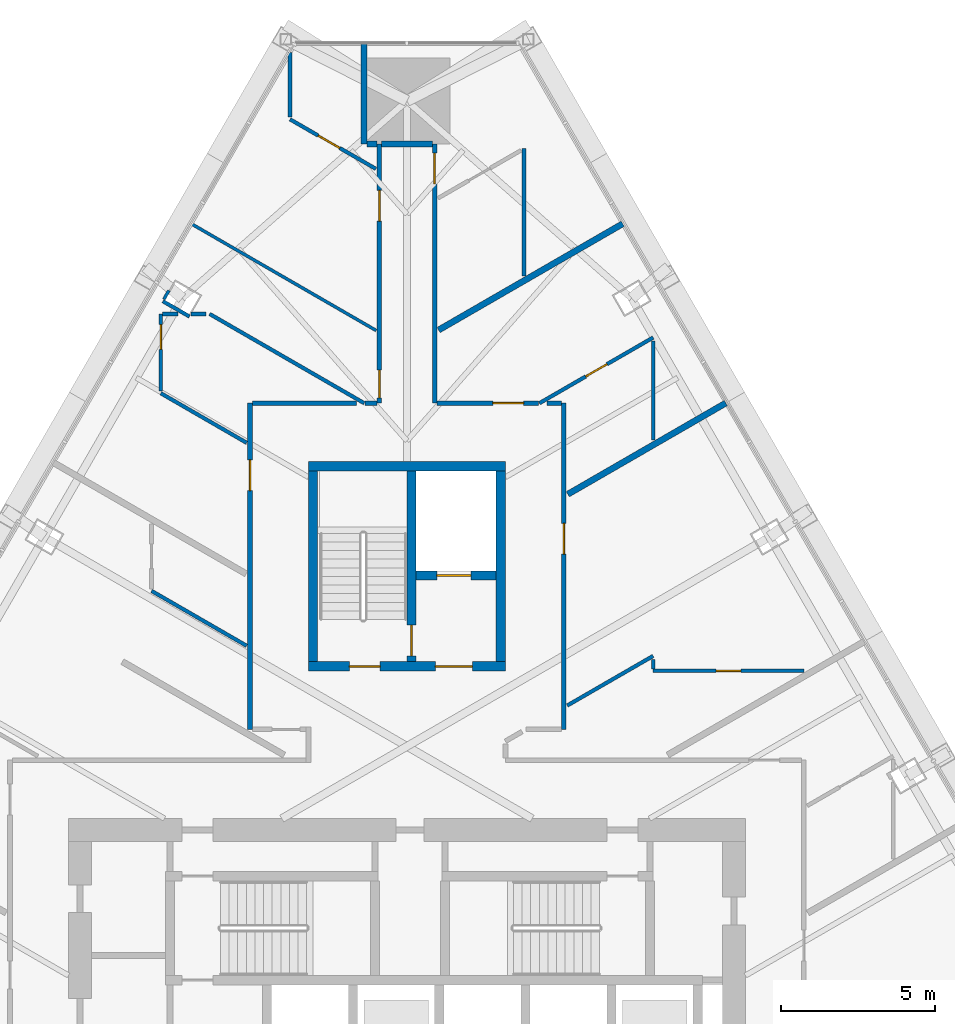
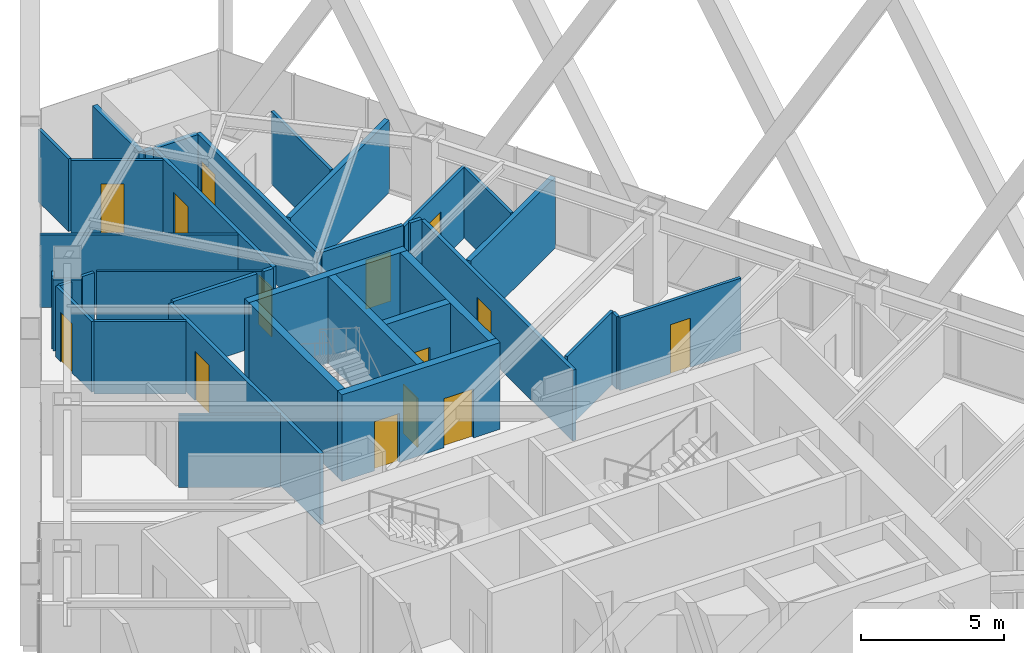
# One storey, part 21 of 24: 36 walls, 14 doors, 14 openings.
"""IFC4 building model written with IfcOpenShell, lengths in metres."""

from ifc_helpers import new_model, si_unit, direction, frame, frame_2d, origin, place, context, subcontext, project, spatial, rectangle, extrude, material, layer, layer_set, type_object, element, fill, save


model = new_model("IFC4")

# Units and contexts
model_context = context("Model", 3, precision=1e-05, world=origin(), true_north=direction((0.0, 1.0)))
body_context = subcontext(model_context, "Body", "Model", "MODEL_VIEW")
ifc_project = project(units=[si_unit("LENGTHUNIT", "METRE"), si_unit("AREAUNIT", "SQUARE_METRE"), si_unit("VOLUMEUNIT", "CUBIC_METRE"), si_unit("PLANEANGLEUNIT", "RADIAN"), si_unit("MASSUNIT", "GRAM", prefix="KILO")], contexts=[model_context])

# Site, building, storey
site_placement = place(None, origin())
site = spatial("IfcSite", under=ifc_project, at=site_placement, CompositionType="ELEMENT")
building_placement = place(site_placement, origin())
building = spatial("IfcBuilding", under=site, at=building_placement, Name="Firuza Gate Tower and Library", CompositionType="ELEMENT")
storey_placement = place(building_placement, frame((0.0, 0.0, 171.39990234375)))
storey = spatial("IfcBuildingStorey", under=building, at=storey_placement, Name="L39", CompositionType="ELEMENT", Elevation=171.39990234375)

# Wall, openings, doors
ifc_material_1 = material(Name="Concrete C80/95", Category="concrete")
ifc_layer_1 = layer(ifc_material_1, 0.300048828125)
ifc_layer_set_1 = layer_set([ifc_layer_1], Name="Core wall 300 C80/95")
wall_type_1 = type_object("IfcWallType", Name="Core wall 300 C80/95", PredefinedType="SHEAR", material=ifc_layer_set_1)
wall_1_placement = place(storey_placement, frame((71.800048828125, 87.949951171875, 0.0), z_axis=(0.0, 0.0, 1.0), x_axis=(1.0, 0.0, 0.0)))
wall_1 = element("IfcWall", 1, at=wall_1_placement, inside=storey, type_object=wall_type_1, Name="Core wall L39 27", PredefinedType="SHEAR", context=body_context, shape_type="SweptSolid", body=[
    extrude(rectangle(XDim=6.39990234375, YDim=0.300048828125, at=frame_2d((3.199951171875, 0.0))), origin(), (0.0, 0.0, 1.0), 3.7001953125),
])
opening_1_placement = place(wall_1_placement, frame((1.324951171875, 0.0, 0.0)))
opening_1 = element("IfcOpeningElement", 2, at=opening_1_placement, cuts=wall_1, Name="Opening L39-K15", PredefinedType="OPENING", context=body_context, shape_type="SweptSolid", body=[
    extrude(rectangle(XDim=1.0, YDim=2.10009765625, at=frame_2d((0.5, 1.050048828125))), frame((0.0, 0.16015625, 0.0), z_axis=(0.0, -1.0, 0.0), x_axis=(1.0, 0.0, 0.0)), (0.0, 0.0, 1.0), 0.320068359375),
])
opening_2_placement = place(wall_1_placement, frame((4.125, 0.0, 0.0)))
opening_2 = element("IfcOpeningElement", 3, at=opening_2_placement, cuts=wall_1, Name="Opening L39-K17", PredefinedType="OPENING", context=body_context, shape_type="SweptSolid", body=[
    extrude(rectangle(XDim=1.199951171875, YDim=2.10009765625, at=frame_2d((0.60009765625, 1.050048828125))), frame((0.0, 0.16015625, 0.0), z_axis=(0.0, -1.0, 0.0), x_axis=(1.0, 0.0, 0.0)), (0.0, 0.0, 1.0), 0.320068359375),
])
ifc_material_2 = material(Name="Steel", Category="steel")
door_type_1 = type_object("IfcDoorType", Name="Fire door 1000x2100 FD90", OperationType="NOTDEFINED", PredefinedType="DOOR", material=ifc_material_2)
door_1_placement = place(opening_1_placement, origin())
door_1 = element("IfcDoor", 4, at=door_1_placement, inside=storey, type_object=door_type_1, Name="Door L39-K15", OperationType="SINGLE_SWING_RIGHT", OverallHeight=2.10009765625, OverallWidth=1.0, PredefinedType="DOOR", context=body_context, shape_type="SweptSolid", body=[
    extrude(rectangle(XDim=1.0, YDim=2.10009765625, at=frame_2d((0.5, 1.050048828125))), frame((0.0, 0.02490234375, 0.0), z_axis=(0.0, -1.0, 0.0), x_axis=(1.0, 0.0, 0.0)), (0.0, 0.0, 1.0), 0.050048828125),
])
fill(opening_1, door_1)
ifc_material_3 = material(Name="Steel", Category="steel")
door_type_2 = type_object("IfcDoorType", Name="Fire door 1200x2100 FD30S", OperationType="NOTDEFINED", PredefinedType="DOOR", material=ifc_material_3)
door_2_placement = place(opening_2_placement, origin())
door_2 = element("IfcDoor", 5, at=door_2_placement, inside=storey, type_object=door_type_2, Name="Door L39-K17", OperationType="SINGLE_SWING_RIGHT", OverallHeight=2.10009765625, OverallWidth=1.199951171875, PredefinedType="DOOR", context=body_context, shape_type="SweptSolid", body=[
    extrude(rectangle(XDim=1.199951171875, YDim=2.10009765625, at=frame_2d((0.60009765625, 1.050048828125))), frame((0.0, 0.02490234375, 0.0), z_axis=(0.0, -1.0, 0.0), x_axis=(1.0, 0.0, 0.0)), (0.0, 0.0, 1.0), 0.050048828125),
])
fill(opening_2, door_2)

# Walls
wall_2_placement = place(storey_placement, frame((71.800048828125, 94.449951171875, 0.0), z_axis=(0.0, 0.0, 1.0), x_axis=(1.0, 0.0, 0.0)))
element("IfcWall", 6, at=wall_2_placement, inside=storey, type_object=wall_type_1, Name="Core wall L39 28", PredefinedType="SHEAR", context=body_context, shape_type="SweptSolid", body=[
    extrude(rectangle(XDim=6.39990234375, YDim=0.300048828125, at=frame_2d((3.199951171875, 0.0))), origin(), (0.0, 0.0, 1.0), 3.7001953125),
])
for number, where, z_axis, x_axis, name in (
    (7, (71.949951171875, 88.10009765625, 0.0), (0.0, 0.0, 1.0), (0.0, 1.0, 0.0), "Core wall L39 29"),
    (8, (78.050048828125, 88.10009765625, 0.0), (0.0, 0.0, 1.0), (0.0, 1.0, 0.0), "Core wall L39 30"),
):
    element("IfcWall", number, at=place(storey_placement, frame(where, z_axis=z_axis, x_axis=x_axis)), inside=storey, type_object=wall_type_1, Name=name, PredefinedType="SHEAR", context=body_context, shape_type="SweptSolid", body=[
        extrude(rectangle(XDim=6.199951171875, YDim=0.300048828125, at=frame_2d((3.10009765625, 0.0))), origin(), (0.0, 0.0, 1.0), 3.7001953125),
    ])

# Wall, opening, door
wall_3_placement = place(storey_placement, frame((75.300048828125, 90.89990234375, 0.0), z_axis=(0.0, 0.0, 1.0), x_axis=(1.0, 0.0, 0.0)))
wall_3 = element("IfcWall", 9, at=wall_3_placement, inside=storey, type_object=wall_type_1, Name="Core wall L39 31", PredefinedType="SHEAR", context=body_context, shape_type="SweptSolid", body=[
    extrude(rectangle(XDim=2.599853515625, YDim=0.300048828125, at=frame_2d((1.2998046875, 0.0))), origin(), (0.0, 0.0, 1.0), 3.7001953125),
])
opening_3_placement = place(wall_3_placement, frame((0.675048828125, 0.0, 0.0)))
opening_3 = element("IfcOpeningElement", 10, at=opening_3_placement, cuts=wall_3, Name="Opening LD-SV1-L39", PredefinedType="OPENING", context=body_context, shape_type="SweptSolid", body=[
    extrude(rectangle(XDim=1.10009765625, YDim=2.10009765625, at=frame_2d((0.550048828125, 1.050048828125))), frame((0.0, 0.16015625, 0.0), z_axis=(0.0, -1.0, 0.0), x_axis=(1.0, 0.0, 0.0)), (0.0, 0.0, 1.0), 0.320068359375),
])
ifc_material_4 = material(Name="Stainless steel", Category="steel")
door_type_3 = type_object("IfcDoorType", Name="Lift landing door 1100x2100", OperationType="DOUBLE_DOOR_SLIDING", PredefinedType="DOOR", material=ifc_material_4)
door_3_placement = place(opening_3_placement, origin())
door_3 = element("IfcDoor", 11, at=door_3_placement, inside=storey, type_object=door_type_3, Name="Landing door SV1 L39", OperationType="DOUBLE_DOOR_SLIDING", OverallHeight=2.10009765625, OverallWidth=1.10009765625, PredefinedType="DOOR", context=body_context, shape_type="SweptSolid", body=[
    extrude(rectangle(XDim=1.10009765625, YDim=2.10009765625, at=frame_2d((0.550048828125, 1.050048828125))), frame((0.0, 0.02490234375, 0.0), z_axis=(0.0, -1.0, 0.0), x_axis=(1.0, 0.0, 0.0)), (0.0, 0.0, 1.0), 0.050048828125),
])
fill(opening_3, door_3)

wall_4_placement = place(storey_placement, frame((75.14990234375, 88.10009765625, 0.0), z_axis=(0.0, 0.0, 1.0), x_axis=(0.0, 1.0, 0.0)))
wall_4 = element("IfcWall", 12, at=wall_4_placement, inside=storey, type_object=wall_type_1, Name="Core wall L39 32", PredefinedType="SHEAR", context=body_context, shape_type="SweptSolid", body=[
    extrude(rectangle(XDim=6.199951171875, YDim=0.300048828125, at=frame_2d((3.10009765625, 0.0))), origin(), (0.0, 0.0, 1.0), 3.7001953125),
])
opening_4_placement = place(wall_4_placement, frame((0.18505859375, 0.0, 0.0)))
opening_4 = element("IfcOpeningElement", 13, at=opening_4_placement, cuts=wall_4, Name="Opening L39-K16", PredefinedType="OPENING", context=body_context, shape_type="SweptSolid", body=[
    extrude(rectangle(XDim=1.0, YDim=2.10009765625, at=frame_2d((0.5, 1.050048828125))), frame((0.0, 0.16015625, 0.0), z_axis=(0.0, -1.0, 0.0), x_axis=(1.0, 0.0, 0.0)), (0.0, 0.0, 1.0), 0.320068359375),
])
door_4_placement = place(opening_4_placement, origin())
door_4 = element("IfcDoor", 14, at=door_4_placement, inside=storey, type_object=door_type_1, Name="Door L39-K16", OperationType="SINGLE_SWING_LEFT", OverallHeight=2.10009765625, OverallWidth=1.0, PredefinedType="DOOR", context=body_context, shape_type="SweptSolid", body=[
    extrude(rectangle(XDim=1.0, YDim=2.10009765625, at=frame_2d((0.5, 1.050048828125))), frame((0.0, 0.02490234375, 0.0), z_axis=(0.0, -1.0, 0.0), x_axis=(1.0, 0.0, 0.0)), (0.0, 0.0, 1.0), 0.050048828125),
])
fill(opening_4, door_4)

# Wall
ifc_material_5 = material(Name="Gypsum board partition")
ifc_layer_2 = layer(ifc_material_5, 0.14990234375)
ifc_layer_set_2 = layer_set([ifc_layer_2], Name="Corridor wall 150 double board on steel studs")
wall_type_2 = type_object("IfcWallType", Name="Corridor wall 150 double board on steel studs", PredefinedType="PARTITIONING", material=ifc_layer_set_2)
wall_5_placement = place(storey_placement, frame((69.97509765625, 96.5, 0.0), z_axis=(0.0, 0.0, 1.0), x_axis=(1.0, 0.0, 0.0)))
element("IfcWall", 15, at=wall_5_placement, inside=storey, type_object=wall_type_2, Name="f:L39:w016", PredefinedType="PARTITIONING", context=body_context, shape_type="SweptSolid", body=[
    extrude(rectangle(XDim=3.384033203125, YDim=0.14990234375, at=frame_2d((1.69189453125, 0.0))), origin(), (0.0, 0.0, 1.0), 3.10009765625),
])

# Wall, opening, door
wall_6_placement = place(storey_placement, frame((75.97509765625, 96.5, 0.0), z_axis=(0.0, 0.0, 1.0), x_axis=(1.0, 0.0, 0.0)))
wall_6 = element("IfcWall", 16, at=wall_6_placement, inside=storey, type_object=wall_type_2, Name="f:L39:w017", PredefinedType="PARTITIONING", context=body_context, shape_type="SweptSolid", body=[
    extrude(rectangle(XDim=3.299072265625, YDim=0.14990234375, at=frame_2d((1.6494140625, 0.0))), origin(), (0.0, 0.0, 1.0), 3.10009765625),
])
opening_5_placement = place(wall_6_placement, frame((1.814453125, 0.0, 0.0)))
opening_5 = element("IfcOpeningElement", 17, at=opening_5_placement, cuts=wall_6, Name="Opening L39-14", PredefinedType="OPENING", context=body_context, shape_type="SweptSolid", body=[
    extrude(rectangle(XDim=1.0, YDim=2.10009765625, at=frame_2d((0.5, 1.050048828125))), frame((0.0, 0.0849609375, 0.0), z_axis=(0.0, -1.0, 0.0), x_axis=(1.0, 0.0, 0.0)), (0.0, 0.0, 1.0), 0.169921875),
])
ifc_material_6 = material(Name="Steel door and timber leaf", Category="steel")
door_type_4 = type_object("IfcDoorType", Name="Fire door 1000 x 2100 steel frame, timber leaf", OperationType="NOTDEFINED", PredefinedType="DOOR", material=ifc_material_6)
door_5_placement = place(opening_5_placement, origin())
door_5 = element("IfcDoor", 18, at=door_5_placement, inside=storey, type_object=door_type_4, Name="f:L39:d014", OperationType="SINGLE_SWING_LEFT", OverallHeight=2.10009765625, OverallWidth=1.0, PredefinedType="DOOR", context=body_context, shape_type="SweptSolid", body=[
    extrude(rectangle(XDim=1.0, YDim=2.10009765625, at=frame_2d((0.5, 1.050048828125))), frame((0.0, 0.02490234375, 0.0), z_axis=(0.0, -1.0, 0.0), x_axis=(1.0, 0.0, 0.0)), (0.0, 0.0, 1.0), 0.050048828125),
])
fill(opening_5, door_5)

wall_7_placement = place(storey_placement, frame((80.10009765625, 96.5, 0.0), z_axis=(0.0, 0.0, 1.0), x_axis=(0.0, -1.0, 0.0)))
wall_7 = element("IfcWall", 19, at=wall_7_placement, inside=storey, type_object=wall_type_2, Name="f:L39:w059", PredefinedType="PARTITIONING", context=body_context, shape_type="SweptSolid", body=[
    extrude(rectangle(XDim=10.60009765625, YDim=0.14990234375, at=frame_2d((5.300048828125, 0.0))), origin(), (0.0, 0.0, 1.0), 3.022216796875),
])
opening_6_placement = place(wall_7_placement, frame((3.908935546875, 0.0, 0.0)))
opening_6 = element("IfcOpeningElement", 20, at=opening_6_placement, cuts=wall_7, Name="Opening L39-34", PredefinedType="OPENING", context=body_context, shape_type="SweptSolid", body=[
    extrude(rectangle(XDim=1.0, YDim=2.10009765625, at=frame_2d((0.5, 1.050048828125))), frame((0.0, 0.0849609375, 0.0), z_axis=(0.0, -1.0, 0.0), x_axis=(1.0, 0.0, 0.0)), (0.0, 0.0, 1.0), 0.169921875),
])
door_6_placement = place(opening_6_placement, origin())
door_6 = element("IfcDoor", 21, at=door_6_placement, inside=storey, type_object=door_type_4, Name="f:L39:d034", OperationType="SINGLE_SWING_RIGHT", OverallHeight=2.10009765625, OverallWidth=1.0, PredefinedType="DOOR", context=body_context, shape_type="SweptSolid", body=[
    extrude(rectangle(XDim=1.0, YDim=2.10009765625, at=frame_2d((0.5, 1.050048828125))), frame((0.0, 0.02490234375, 0.0), z_axis=(0.0, -1.0, 0.0), x_axis=(1.0, 0.0, 0.0)), (0.0, 0.0, 1.0), 0.050048828125),
])
fill(opening_6, door_6)

wall_8_placement = place(storey_placement, frame((75.89990234375, 104.923095703125, 0.0), z_axis=(0.0, 0.0, 1.0), x_axis=(0.0, -1.0, 0.0)))
wall_8 = element("IfcWall", 22, at=wall_8_placement, inside=storey, type_object=wall_type_2, Name="f:L39:w064", PredefinedType="PARTITIONING", context=body_context, shape_type="SweptSolid", body=[
    extrude(rectangle(XDim=8.423095703125, YDim=0.14990234375, at=frame_2d((4.21142578125, 0.0))), origin(), (0.0, 0.0, 1.0), 3.10009765625),
])
opening_7_placement = place(wall_8_placement, frame((0.29443359375, 0.0, 0.0)))
opening_7 = element("IfcOpeningElement", 23, at=opening_7_placement, cuts=wall_8, Name="Opening L39-35", PredefinedType="OPENING", context=body_context, shape_type="SweptSolid", body=[
    extrude(rectangle(XDim=1.0, YDim=2.10009765625, at=frame_2d((0.5, 1.050048828125))), frame((0.0, 0.0849609375, 0.0), z_axis=(0.0, -1.0, 0.0), x_axis=(1.0, 0.0, 0.0)), (0.0, 0.0, 1.0), 0.169921875),
])
door_7_placement = place(opening_7_placement, origin())
door_7 = element("IfcDoor", 24, at=door_7_placement, inside=storey, type_object=door_type_4, Name="f:L39:d035", OperationType="SINGLE_SWING_RIGHT", OverallHeight=2.10009765625, OverallWidth=1.0, PredefinedType="DOOR", context=body_context, shape_type="SweptSolid", body=[
    extrude(rectangle(XDim=1.0, YDim=2.10009765625, at=frame_2d((0.5, 1.050048828125))), frame((0.0, 0.02490234375, 0.0), z_axis=(0.0, -1.0, 0.0), x_axis=(1.0, 0.0, 0.0)), (0.0, 0.0, 1.0), 0.050048828125),
])
fill(opening_7, door_7)

# Wall, openings, doors
wall_9_placement = place(storey_placement, frame((74.10009765625, 96.5, 0.0), z_axis=(0.0, 0.0, 1.0), x_axis=(0.0, 1.0, 0.0)))
wall_9 = element("IfcWall", 25, at=wall_9_placement, inside=storey, type_object=wall_type_2, Name="f:L39:w067", PredefinedType="PARTITIONING", context=body_context, shape_type="SweptSolid", body=[
    extrude(rectangle(XDim=8.423583984375, YDim=0.14990234375, at=frame_2d((4.2119140625, 0.0))), origin(), (0.0, 0.0, 1.0), 3.10009765625),
])
opening_8_placement = place(wall_9_placement, frame((0.175048828125, 0.0, 0.0)))
opening_8 = element("IfcOpeningElement", 26, at=opening_8_placement, cuts=wall_9, Name="Opening L39-36", PredefinedType="OPENING", context=body_context, shape_type="SweptSolid", body=[
    extrude(rectangle(XDim=0.89990234375, YDim=2.10009765625, at=frame_2d((0.449951171875, 1.050048828125))), frame((0.0, 0.0849609375, 0.0), z_axis=(0.0, -1.0, 0.0), x_axis=(1.0, 0.0, 0.0)), (0.0, 0.0, 1.0), 0.169921875),
])
opening_9_placement = place(wall_9_placement, frame((5.915771484375, 0.0, 0.0)))
opening_9 = element("IfcOpeningElement", 27, at=opening_9_placement, cuts=wall_9, Name="Opening L39-37", PredefinedType="OPENING", context=body_context, shape_type="SweptSolid", body=[
    extrude(rectangle(XDim=1.0, YDim=2.10009765625, at=frame_2d((0.5, 1.050048828125))), frame((0.0, 0.0849609375, 0.0), z_axis=(0.0, -1.0, 0.0), x_axis=(1.0, 0.0, 0.0)), (0.0, 0.0, 1.0), 0.169921875),
])
door_8_placement = place(opening_9_placement, origin())
door_8 = element("IfcDoor", 28, at=door_8_placement, inside=storey, type_object=door_type_4, Name="f:L39:d037", OperationType="SINGLE_SWING_LEFT", OverallHeight=2.10009765625, OverallWidth=1.0, PredefinedType="DOOR", context=body_context, shape_type="SweptSolid", body=[
    extrude(rectangle(XDim=1.0, YDim=2.10009765625, at=frame_2d((0.5, 1.050048828125))), frame((0.0, 0.02490234375, 0.0), z_axis=(0.0, -1.0, 0.0), x_axis=(1.0, 0.0, 0.0)), (0.0, 0.0, 1.0), 0.050048828125),
])
fill(opening_9, door_8)
ifc_material_7 = material(Name="Steel door and timber leaf", Category="steel")
door_type_5 = type_object("IfcDoorType", Name="Fire door 900 x 2100 steel frame, timber leaf", OperationType="NOTDEFINED", PredefinedType="DOOR", material=ifc_material_7)
door_9_placement = place(opening_8_placement, origin())
door_9 = element("IfcDoor", 29, at=door_9_placement, inside=storey, type_object=door_type_5, Name="f:L39:d036", OperationType="SINGLE_SWING_LEFT", OverallHeight=2.10009765625, OverallWidth=0.89990234375, PredefinedType="DOOR", context=body_context, shape_type="SweptSolid", body=[
    extrude(rectangle(XDim=0.89990234375, YDim=2.10009765625, at=frame_2d((0.449951171875, 1.050048828125))), frame((0.0, 0.02490234375, 0.0), z_axis=(0.0, -1.0, 0.0), x_axis=(1.0, 0.0, 0.0)), (0.0, 0.0, 1.0), 0.050048828125),
])
fill(opening_8, door_9)

# Wall, opening, door
wall_10_placement = place(storey_placement, frame((69.89990234375, 85.900390625, 0.0), z_axis=(0.0, 0.0, 1.0), x_axis=(0.0, 1.0, 0.0)))
wall_10 = element("IfcWall", 30, at=wall_10_placement, inside=storey, type_object=wall_type_2, Name="f:L39:w073", PredefinedType="PARTITIONING", context=body_context, shape_type="SweptSolid", body=[
    extrude(rectangle(XDim=10.599609375, YDim=0.14990234375, at=frame_2d((5.2998046875, 0.0))), origin(), (0.0, 0.0, 1.0), 3.022216796875),
])
opening_10_placement = place(wall_10_placement, frame((7.76025390625, 0.0, 0.0)))
opening_10 = element("IfcOpeningElement", 31, at=opening_10_placement, cuts=wall_10, Name="Opening L39-38", PredefinedType="OPENING", context=body_context, shape_type="SweptSolid", body=[
    extrude(rectangle(XDim=1.0, YDim=2.10009765625, at=frame_2d((0.5, 1.050048828125))), frame((0.0, 0.0849609375, 0.0), z_axis=(0.0, -1.0, 0.0), x_axis=(1.0, 0.0, 0.0)), (0.0, 0.0, 1.0), 0.169921875),
])
door_10_placement = place(opening_10_placement, origin())
door_10 = element("IfcDoor", 32, at=door_10_placement, inside=storey, type_object=door_type_4, Name="f:L39:d038", OperationType="SINGLE_SWING_RIGHT", OverallHeight=2.10009765625, OverallWidth=1.0, PredefinedType="DOOR", context=body_context, shape_type="SweptSolid", body=[
    extrude(rectangle(XDim=1.0, YDim=2.10009765625, at=frame_2d((0.5, 1.050048828125))), frame((0.0, 0.02490234375, 0.0), z_axis=(0.0, -1.0, 0.0), x_axis=(1.0, 0.0, 0.0)), (0.0, 0.0, 1.0), 0.050048828125),
])
fill(opening_10, door_10)

# Walls
wall_11_placement = place(storey_placement, frame((73.638671875, 96.5, 0.0), z_axis=(0.0, 0.0, 1.0), x_axis=(1.0, 0.0, 0.0)))
element("IfcWall", 33, at=wall_11_placement, inside=storey, type_object=wall_type_2, Name="f:L39:w115", PredefinedType="PARTITIONING", context=body_context, shape_type="SweptSolid", body=[
    extrude(rectangle(XDim=0.38623046875, YDim=0.14990234375, at=frame_2d((0.193115234375, 0.0))), origin(), (0.0, 0.0, 1.0), 3.10009765625),
])
wall_12_placement = place(storey_placement, frame((79.5546875, 96.5, 0.0), z_axis=(0.0, 0.0, 1.0), x_axis=(1.0, 0.0, 0.0)))
element("IfcWall", 34, at=wall_12_placement, inside=storey, type_object=wall_type_2, Name="f:L39:w116", PredefinedType="PARTITIONING", context=body_context, shape_type="SweptSolid", body=[
    extrude(rectangle(XDim=0.47021484375, YDim=0.14990234375, at=frame_2d((0.235107421875, 0.0))), origin(), (0.0, 0.0, 1.0), 3.10009765625),
])
ifc_material_8 = material(Name="Gypsum board partition")
ifc_layer_3 = layer(ifc_material_8, 0.199951171875)
ifc_layer_set_3 = layer_set([ifc_layer_3], Name="Demising wall 200 acoustic double stud")
wall_type_3 = type_object("IfcWallType", Name="Demising wall 200 acoustic double stud", PredefinedType="PARTITIONING", material=ifc_layer_set_3)
wall_13_placement = place(storey_placement, frame((73.700439453125, 104.923095703125, 0.0), z_axis=(0.0, 0.0, 1.0), x_axis=(1.0, 0.0, 0.0)))
element("IfcWall", 35, at=wall_13_placement, inside=storey, type_object=wall_type_3, Name="f:L39:w020", PredefinedType="PARTITIONING", context=body_context, shape_type="SweptSolid", body=[
    extrude(rectangle(XDim=0.324462890625, YDim=0.199951171875, at=frame_2d((0.162109375, 0.0))), origin(), (0.0, 0.0, 1.0), 3.10009765625),
])
wall_14_placement = place(storey_placement, frame((80.226806640625, 93.54052734375, 0.0), z_axis=(0.0, 0.0, 1.0), x_axis=(0.866041507197, 0.499972107033, 0.0)))
element("IfcWall", 36, at=wall_14_placement, inside=storey, type_object=wall_type_3, Name="f:L39:w041", PredefinedType="PARTITIONING", context=body_context, shape_type="SweptSolid", body=[
    extrude(rectangle(XDim=5.925537109375, YDim=0.199951171875, at=frame_2d((2.962890625, 0.0))), origin(), (0.0, 0.0, 1.0), 3.022216796875),
])
wall_15_placement = place(storey_placement, frame((76.027099609375, 98.87646484375, 0.0), z_axis=(0.0, 0.0, 1.0), x_axis=(0.866023821458, 0.500002740659, 0.0)))
element("IfcWall", 37, at=wall_15_placement, inside=storey, type_object=wall_type_3, Name="f:L39:w043", PredefinedType="PARTITIONING", context=body_context, shape_type="SweptSolid", body=[
    extrude(rectangle(XDim=6.91162109375, YDim=0.199951171875, at=frame_2d((3.455810546875, 0.0))), origin(), (0.0, 0.0, 1.0), 3.10009765625),
])
wall_16_placement = place(storey_placement, frame((73.60009765625, 104.924072265625, 0.0), z_axis=(0.0, 0.0, 1.0), x_axis=(0.0, 1.0, 0.0)))
element("IfcWall", 38, at=wall_16_placement, inside=storey, type_object=wall_type_3, Name="f:L39:w068", PredefinedType="PARTITIONING", context=body_context, shape_type="SweptSolid", body=[
    extrude(rectangle(XDim=3.259521484375, YDim=0.199951171875, at=frame_2d((1.6298828125, 0.0))), origin(), (0.0, 0.0, 1.0), 3.10009765625),
])
wall_17_placement = place(storey_placement, frame((74.175048828125, 104.923095703125, 0.0), z_axis=(0.0, 0.0, 1.0), x_axis=(1.0, 0.0, 0.0)))
element("IfcWall", 39, at=wall_17_placement, inside=storey, type_object=wall_type_3, Name="f:L39:w117", PredefinedType="PARTITIONING", context=body_context, shape_type="SweptSolid", body=[
    extrude(rectangle(XDim=1.6494140625, YDim=0.199951171875, at=frame_2d((0.82470703125, 0.0))), origin(), (0.0, 0.0, 1.0), 3.09716796875),
])
ifc_material_9 = material(Name="Gypsum board partition")
ifc_layer_4 = layer(ifc_material_9, 0.10009765625)
ifc_layer_set_4 = layer_set([ifc_layer_4], Name="Partition 100 gypsum board on steel studs")
wall_type_4 = type_object("IfcWallType", Name="Partition 100 gypsum board on steel studs", PredefinedType="PARTITIONING", material=ifc_layer_set_4)
wall_18_placement = place(storey_placement, frame((67.10009765625, 99.876708984375, 0.0), z_axis=(0.0, 0.0, 1.0), x_axis=(0.500277597875, 0.865865073245, 0.0)))
element("IfcWall", 40, at=wall_18_placement, inside=storey, type_object=wall_type_4, Name="f:L39:w046", PredefinedType="PARTITIONING", context=body_context, shape_type="SweptSolid", body=[
    extrude(rectangle(XDim=0.329833984375, YDim=0.10009765625, at=frame_2d((0.1650390625, 0.0))), origin(), (0.0, 0.0, 1.0), 3.10009765625),
])
wall_19_placement = place(storey_placement, frame((73.998779296875, 98.861572265625, 0.0), z_axis=(0.0, 0.0, 1.0), x_axis=(-0.866026860931, 0.49999747614, 0.0)))
element("IfcWall", 41, at=wall_19_placement, inside=storey, type_object=wall_type_4, Name="f:L39:w093", PredefinedType="PARTITIONING", context=body_context, shape_type="SweptSolid", body=[
    extrude(rectangle(XDim=6.94140625, YDim=0.10009765625, at=frame_2d((3.470703125, 0.0))), origin(), (0.0, 0.0, 1.0), 3.10009765625),
])

# Wall, opening, door
ifc_material_10 = material(Name="Gypsum board partition")
ifc_layer_5 = layer(ifc_material_10, 0.1201171875)
ifc_layer_set_5 = layer_set([ifc_layer_5], Name="Wet-area partition 120 moisture-resistant board")
wall_type_5 = type_object("IfcWallType", Name="Wet-area partition 120 moisture-resistant board", PredefinedType="PARTITIONING", material=ifc_layer_set_5)
wall_20_placement = place(storey_placement, frame((87.8984375, 87.800048828125, 0.0), z_axis=(0.0, 0.0, 1.0), x_axis=(-1.0, 0.0, 0.0)))
wall_20 = element("IfcWall", 42, at=wall_20_placement, inside=storey, type_object=wall_type_5, Name="f:L39:w015", PredefinedType="PARTITIONING", context=body_context, shape_type="SweptSolid", body=[
    extrude(rectangle(XDim=4.8984375, YDim=0.1201171875, at=frame_2d((2.44921875, 0.0))), origin(), (0.0, 0.0, 1.0), 3.10009765625),
])
opening_11_placement = place(wall_20_placement, frame((2.049072265625, 0.0, 0.0)))
opening_11 = element("IfcOpeningElement", 43, at=opening_11_placement, cuts=wall_20, Name="Opening L39-13", PredefinedType="OPENING", context=body_context, shape_type="SweptSolid", body=[
    extrude(rectangle(XDim=0.800048828125, YDim=2.10009765625, at=frame_2d((0.39990234375, 1.050048828125))), frame((0.0, 0.070068359375, 0.0), z_axis=(0.0, -1.0, 0.0), x_axis=(1.0, 0.0, 0.0)), (0.0, 0.0, 1.0), 0.14013671875),
])
ifc_material_11 = material(Name="Timber door", Category="wood")
door_type_6 = type_object("IfcDoorType", Name="Door 800 x 2100 timber leaf", OperationType="NOTDEFINED", PredefinedType="DOOR", material=ifc_material_11)
door_11_placement = place(opening_11_placement, origin())
door_11 = element("IfcDoor", 44, at=door_11_placement, inside=storey, type_object=door_type_6, Name="f:L39:d013", OperationType="SINGLE_SWING_LEFT", OverallHeight=2.10009765625, OverallWidth=0.800048828125, PredefinedType="DOOR", context=body_context, shape_type="SweptSolid", body=[
    extrude(rectangle(XDim=0.800048828125, YDim=2.10009765625, at=frame_2d((0.39990234375, 1.050048828125))), frame((0.0, 0.02490234375, 0.0), z_axis=(0.0, -1.0, 0.0), x_axis=(1.0, 0.0, 0.0)), (0.0, 0.0, 1.0), 0.050048828125),
])
fill(opening_11, door_11)

# Walls
wall_21_placement = place(storey_placement, frame((67.06005859375, 99.39990234375, 0.0), z_axis=(0.0, 0.0, 1.0), x_axis=(1.0, 0.0, 0.0)))
element("IfcWall", 45, at=wall_21_placement, inside=storey, type_object=wall_type_5, Name="f:L39:w018", PredefinedType="PARTITIONING", context=body_context, shape_type="SweptSolid", body=[
    extrude(rectangle(XDim=0.49560546875, YDim=0.1201171875, at=frame_2d((0.247802734375, 0.0))), origin(), (0.0, 0.0, 1.0), 3.022216796875),
])
wall_22_placement = place(storey_placement, frame((67.97998046875, 99.39990234375, 0.0), z_axis=(0.0, 0.0, 1.0), x_axis=(1.0, 0.0, 0.0)))
element("IfcWall", 46, at=wall_22_placement, inside=storey, type_object=wall_type_5, Name="f:L39:w019", PredefinedType="PARTITIONING", context=body_context, shape_type="SweptSolid", body=[
    extrude(rectangle(XDim=0.485595703125, YDim=0.1201171875, at=frame_2d((0.24267578125, 0.0))), origin(), (0.0, 0.0, 1.0), 3.10009765625),
])
wall_23_placement = place(storey_placement, frame((80.20947265625, 86.675048828125, 0.0), z_axis=(0.0, 0.0, 1.0), x_axis=(0.86604299788, 0.499969524894, 0.0)))
element("IfcWall", 47, at=wall_23_placement, inside=storey, type_object=wall_type_5, Name="f:L39:w040", PredefinedType="PARTITIONING", context=body_context, shape_type="SweptSolid", body=[
    extrude(rectangle(XDim=3.221923828125, YDim=0.1201171875, at=frame_2d((1.61083984375, 0.0))), origin(), (0.0, 0.0, 1.0), 3.10009765625),
])

# Wall, opening, door
wall_24_placement = place(storey_placement, frame((83.000244140625, 98.633544921875, 0.0), z_axis=(0.0, 0.0, 1.0), x_axis=(-0.866013160285, -0.500021205763, 0.0)))
wall_24 = element("IfcWall", 48, at=wall_24_placement, inside=storey, type_object=wall_type_5, Name="f:L39:w042", PredefinedType="PARTITIONING", context=body_context, shape_type="SweptSolid", body=[
    extrude(rectangle(XDim=4.267822265625, YDim=0.1201171875, at=frame_2d((2.1337890625, 0.0))), origin(), (0.0, 0.0, 1.0), 3.022216796875),
])
opening_12_placement = place(wall_24_placement, frame((1.73388671875, 0.0, 0.0)))
opening_12 = element("IfcOpeningElement", 49, at=opening_12_placement, cuts=wall_24, Name="Opening L39-28", PredefinedType="OPENING", context=body_context, shape_type="SweptSolid", body=[
    extrude(rectangle(XDim=0.800048828125, YDim=2.10009765625, at=frame_2d((0.39990234375, 1.050048828125))), frame((0.0, 0.070068359375, 0.0), z_axis=(0.0, -1.0, 0.0), x_axis=(1.0, 0.0, 0.0)), (0.0, 0.0, 1.0), 0.14013671875),
])
door_12_placement = place(opening_12_placement, origin())
door_12 = element("IfcDoor", 50, at=door_12_placement, inside=storey, type_object=door_type_6, Name="f:L39:d028", OperationType="SINGLE_SWING_LEFT", OverallHeight=2.10009765625, OverallWidth=0.800048828125, PredefinedType="DOOR", context=body_context, shape_type="SweptSolid", body=[
    extrude(rectangle(XDim=0.800048828125, YDim=2.10009765625, at=frame_2d((0.39990234375, 1.050048828125))), frame((0.0, 0.02490234375, 0.0), z_axis=(0.0, -1.0, 0.0), x_axis=(1.0, 0.0, 0.0)), (0.0, 0.0, 1.0), 0.050048828125),
])
fill(opening_12, door_12)

# Walls
wall_25_placement = place(storey_placement, frame((83.0, 87.860107421875, 0.0), z_axis=(0.0, 0.0, 1.0), x_axis=(0.0, 1.0, 0.0)))
element("IfcWall", 51, at=wall_25_placement, inside=storey, type_object=wall_type_5, Name="f:L39:w057", PredefinedType="PARTITIONING", context=body_context, shape_type="SweptSolid", body=[
    extrude(rectangle(XDim=0.316162109375, YDim=0.1201171875, at=frame_2d((0.158203125, 0.0))), origin(), (0.0, 0.0, 1.0), 3.10009765625),
])
wall_26_placement = place(storey_placement, frame((83.0, 95.296875, 0.0), z_axis=(0.0, 0.0, 1.0), x_axis=(0.0, 1.0, 0.0)))
element("IfcWall", 52, at=wall_26_placement, inside=storey, type_object=wall_type_5, Name="f:L39:w058", PredefinedType="PARTITIONING", context=body_context, shape_type="SweptSolid", body=[
    extrude(rectangle(XDim=3.227783203125, YDim=0.1201171875, at=frame_2d((1.61376953125, 0.0))), origin(), (0.0, 0.0, 1.0), 3.022216796875),
])
wall_27_placement = place(storey_placement, frame((78.800048828125, 100.633056640625, 0.0), z_axis=(0.0, 0.0, 1.0), x_axis=(0.0, 1.0, 0.0)))
element("IfcWall", 53, at=wall_27_placement, inside=storey, type_object=wall_type_5, Name="f:L39:w061", PredefinedType="PARTITIONING", context=body_context, shape_type="SweptSolid", body=[
    extrude(rectangle(XDim=4.137451171875, YDim=0.1201171875, at=frame_2d((2.06884765625, 0.0))), origin(), (0.0, 0.0, 1.0), 3.10009765625),
])
wall_28_placement = place(storey_placement, frame((71.199951171875, 105.7939453125, 0.0), z_axis=(0.0, 0.0, 1.0), x_axis=(0.0, 1.0, 0.0)))
element("IfcWall", 54, at=wall_28_placement, inside=storey, type_object=wall_type_5, Name="f:L39:w071", PredefinedType="PARTITIONING", context=body_context, shape_type="SweptSolid", body=[
    extrude(rectangle(XDim=2.10302734375, YDim=0.1201171875, at=frame_2d((1.051513671875, 0.0))), origin(), (0.0, 0.0, 1.0), 3.10009765625),
])

# Wall, opening, door
wall_29_placement = place(storey_placement, frame((67.0, 99.39990234375, 0.0), z_axis=(0.0, 0.0, 1.0), x_axis=(0.0, -1.0, 0.0)))
wall_29 = element("IfcWall", 55, at=wall_29_placement, inside=storey, type_object=wall_type_5, Name="f:L39:w075", PredefinedType="PARTITIONING", context=body_context, shape_type="SweptSolid", body=[
    extrude(rectangle(XDim=2.5078125, YDim=0.1201171875, at=frame_2d((1.25390625, 0.0))), origin(), (0.0, 0.0, 1.0), 3.022216796875),
])
opening_13_placement = place(wall_29_placement, frame((0.35009765625, 0.0, 0.0)))
opening_13 = element("IfcOpeningElement", 56, at=opening_13_placement, cuts=wall_29, Name="Opening L39-39", PredefinedType="OPENING", context=body_context, shape_type="SweptSolid", body=[
    extrude(rectangle(XDim=0.800048828125, YDim=2.10009765625, at=frame_2d((0.39990234375, 1.050048828125))), frame((0.0, 0.070068359375, 0.0), z_axis=(0.0, -1.0, 0.0), x_axis=(1.0, 0.0, 0.0)), (0.0, 0.0, 1.0), 0.14013671875),
])
door_13_placement = place(opening_13_placement, origin())
door_13 = element("IfcDoor", 57, at=door_13_placement, inside=storey, type_object=door_type_6, Name="f:L39:d039", OperationType="SINGLE_SWING_RIGHT", OverallHeight=2.10009765625, OverallWidth=0.800048828125, PredefinedType="DOOR", context=body_context, shape_type="SweptSolid", body=[
    extrude(rectangle(XDim=0.800048828125, YDim=2.10009765625, at=frame_2d((0.39990234375, 1.050048828125))), frame((0.0, 0.02490234375, 0.0), z_axis=(0.0, -1.0, 0.0), x_axis=(1.0, 0.0, 0.0)), (0.0, 0.0, 1.0), 0.050048828125),
])
fill(opening_13, door_13)

wall_30_placement = place(storey_placement, frame((71.199951171875, 105.724365234375, 0.0), z_axis=(0.0, 0.0, 1.0), x_axis=(0.86604299788, -0.499969524894, 0.0)))
wall_30 = element("IfcWall", 58, at=wall_30_placement, inside=storey, type_object=wall_type_5, Name="f:L39:w092", PredefinedType="PARTITIONING", context=body_context, shape_type="SweptSolid", body=[
    extrude(rectangle(XDim=3.221923828125, YDim=0.1201171875, at=frame_2d((1.61083984375, 0.0))), origin(), (0.0, 0.0, 1.0), 3.10009765625),
])
opening_14_placement = place(wall_30_placement, frame((1.06103515625, 0.0, 0.0)))
opening_14 = element("IfcOpeningElement", 59, at=opening_14_placement, cuts=wall_30, Name="Opening L39-44", PredefinedType="OPENING", context=body_context, shape_type="SweptSolid", body=[
    extrude(rectangle(XDim=0.800048828125, YDim=2.10009765625, at=frame_2d((0.39990234375, 1.050048828125))), frame((0.0, 0.070068359375, 0.0), z_axis=(0.0, -1.0, 0.0), x_axis=(1.0, 0.0, 0.0)), (0.0, 0.0, 1.0), 0.14013671875),
])
door_14_placement = place(opening_14_placement, origin())
door_14 = element("IfcDoor", 60, at=door_14_placement, inside=storey, type_object=door_type_6, Name="f:L39:d044", OperationType="SINGLE_SWING_LEFT", OverallHeight=2.10009765625, OverallWidth=0.800048828125, PredefinedType="DOOR", context=body_context, shape_type="SweptSolid", body=[
    extrude(rectangle(XDim=0.800048828125, YDim=2.10009765625, at=frame_2d((0.39990234375, 1.050048828125))), frame((0.0, 0.02490234375, 0.0), z_axis=(0.0, -1.0, 0.0), x_axis=(1.0, 0.0, 0.0)), (0.0, 0.0, 1.0), 0.050048828125),
])
fill(opening_14, door_14)

# Walls
wall_31_placement = place(storey_placement, frame((73.608642578125, 96.500244140625, 0.0), z_axis=(0.0, 0.0, 1.0), x_axis=(-0.866032775405, 0.499987231761, 0.0)))
element("IfcWall", 61, at=wall_31_placement, inside=storey, type_object=wall_type_5, Name="f:L39:w094", PredefinedType="PARTITIONING", context=body_context, shape_type="SweptSolid", body=[
    extrude(rectangle(XDim=5.800048828125, YDim=0.1201171875, at=frame_2d((2.89990234375, 0.0))), origin(), (0.0, 0.0, 1.0), 3.10009765625),
])
wall_32_placement = place(storey_placement, frame((67.931640625, 99.31591796875, 0.0), z_axis=(0.0, 0.0, 1.0), x_axis=(-0.866010750942, 0.50002537861, 0.0)))
element("IfcWall", 62, at=wall_32_placement, inside=storey, type_object=wall_type_5, Name="f:L39:w095", PredefinedType="PARTITIONING", context=body_context, shape_type="SweptSolid", body=[
    extrude(rectangle(XDim=1.0, YDim=0.1201171875, at=frame_2d((0.5, 0.0))), origin(), (0.0, 0.0, 1.0), 3.022216796875),
])
wall_33_placement = place(storey_placement, frame((69.790283203125, 95.2119140625, 0.0), z_axis=(0.0, 0.0, 1.0), x_axis=(-0.86604299788, 0.499969524894, 0.0)))
element("IfcWall", 63, at=wall_33_placement, inside=storey, type_object=wall_type_5, Name="f:L39:w096", PredefinedType="PARTITIONING", context=body_context, shape_type="SweptSolid", body=[
    extrude(rectangle(XDim=3.221923828125, YDim=0.1201171875, at=frame_2d((1.61083984375, 0.0))), origin(), (0.0, 0.0, 1.0), 3.10009765625),
])
wall_34_placement = place(storey_placement, frame((69.79052734375, 88.614990234375, 0.0), z_axis=(0.0, 0.0, 1.0), x_axis=(-0.866045460162, 0.499965259726, 0.0)))
element("IfcWall", 64, at=wall_34_placement, inside=storey, type_object=wall_type_5, Name="f:L39:w098", PredefinedType="PARTITIONING", context=body_context, shape_type="SweptSolid", body=[
    extrude(rectangle(XDim=3.568603515625, YDim=0.1201171875, at=frame_2d((1.7841796875, 0.0))), origin(), (0.0, 0.0, 1.0), 3.10009765625),
])

save(model, "model.ifc")
